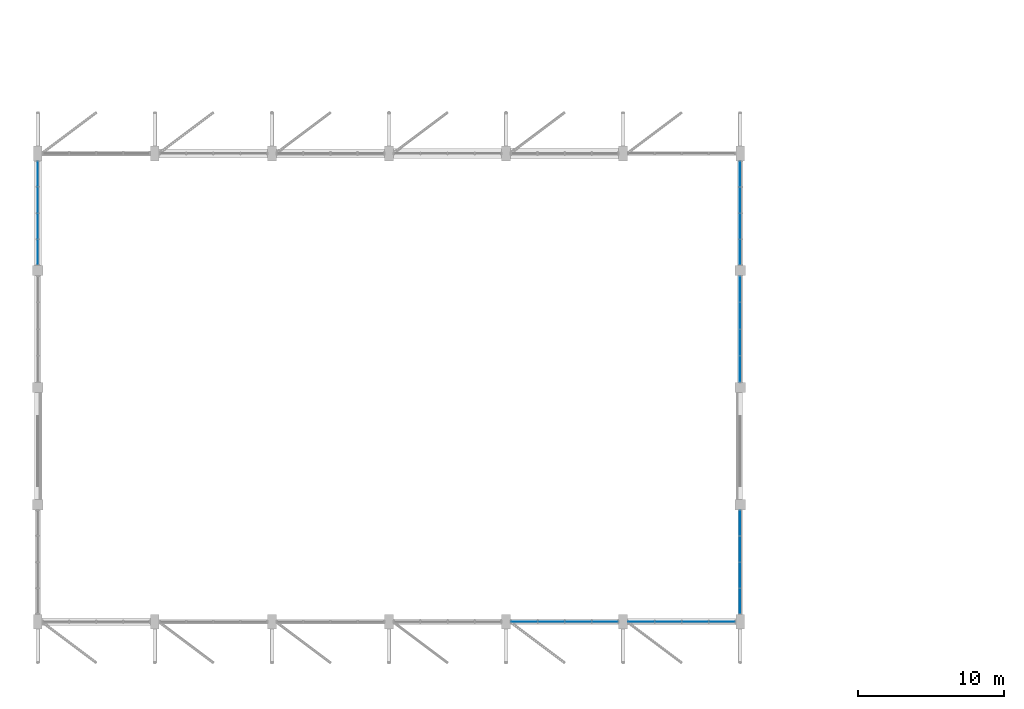
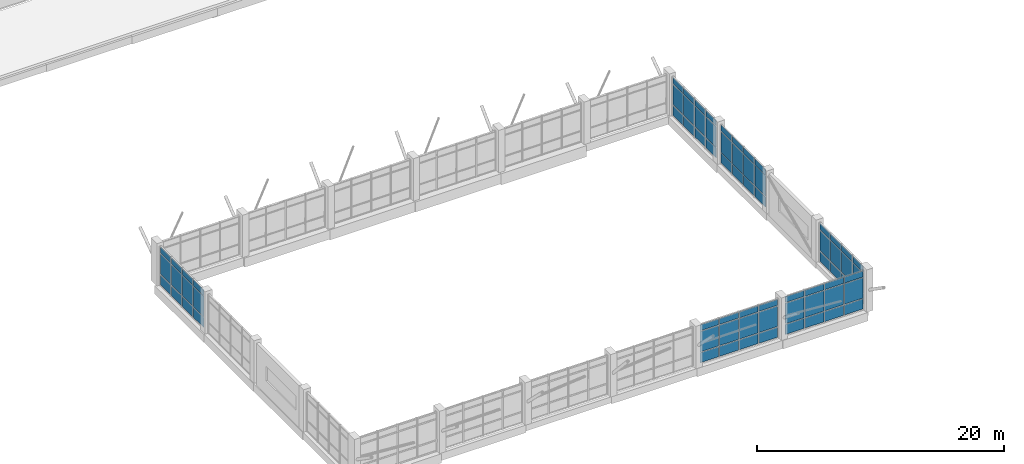
# One storey, part 30 of 44: 72 plates, 6 elements without a shape of their own.
"""IFC4 building model written with IfcOpenShell, lengths in metres."""

from ifc_helpers import new_model, si_unit, direction, frame, origin, origin_2d, place, context, subcontext, project, spatial, rectangle, extrude, material, layer, layer_set, type_object, element, aggregate, save


model = new_model("IFC4")

# Units and contexts
model_context = context("Model", 3, precision=1e-05, world=origin(), true_north=direction((0.0, 1.0)))
body_context = subcontext(model_context, "Body", "Model", "MODEL_VIEW")
ifc_project = project(units=[si_unit("LENGTHUNIT", "METRE"), si_unit("AREAUNIT", "SQUARE_METRE"), si_unit("VOLUMEUNIT", "CUBIC_METRE"), si_unit("PLANEANGLEUNIT", "RADIAN"), si_unit("MASSUNIT", "GRAM", prefix="KILO")], contexts=[model_context])

# Site, building, storey
site_placement = place(None, origin())
site = spatial("IfcSite", under=ifc_project, at=site_placement, CompositionType="ELEMENT")
building_placement = place(site_placement, origin())
building = spatial("IfcBuilding", under=site, at=building_placement, Name="Tenunan Teduh Sports Hall", CompositionType="ELEMENT")
storey_placement = place(building_placement, frame((0.0, 0.0, 19.199951171875)))
storey = spatial("IfcBuildingStorey", under=building, at=storey_placement, Name="L04", CompositionType="ELEMENT", Elevation=19.199951171875)

# Curtain wall, plates
ifc_material_1 = material(Name="Anodised aluminium", Category="aluminium")
curtain_wall_type = type_object("IfcCurtainWallType", Name="CW-UNIT-2", PredefinedType="NOTDEFINED", material=ifc_material_1)
curtain_wall_1_placement = place(storey_placement, origin())
curtain_wall_1 = element("IfcCurtainWall", 1, at=curtain_wall_1_placement, inside=storey, type_object=curtain_wall_type, Name="CW-CWM-200-L04-100", PredefinedType="NOTDEFINED")
ifc_material_2 = material(Name="Low-E laminated double glazing", Category="glass")
ifc_layer_1 = layer(ifc_material_2, 0.028076171875)
ifc_layer_set_1 = layer_set([ifc_layer_1], Name="Low-E laminated double glazing")
plate_type_1 = type_object("IfcPlateType", Name="CWP-GLZ-28", PredefinedType="CURTAIN_PANEL", material=ifc_layer_set_1)
plate_1_placement = place(storey_placement, frame((39.242431640625, 14.0, 1.13525390625), z_axis=(0.0, 0.0, 1.0), x_axis=(1.0, 0.0, 0.0)))
plate_1 = element("IfcPlate", 2, at=plate_1_placement, type_object=plate_type_1, Name="CW-02 panel 1.2", PredefinedType="CURTAIN_PANEL", context=body_context, shape_type="SweptSolid", body=[
    extrude(rectangle(XDim=1.7451171875, YDim=0.028076171875, at=origin_2d()), origin(), (0.0, 0.0, 1.0), 2.030029296875),
])
plate_2_placement = place(storey_placement, frame((39.242431640625, 14.0, 3.23486328125), z_axis=(0.0, 0.0, 1.0), x_axis=(1.0, 0.0, 0.0)))
plate_2 = element("IfcPlate", 3, at=plate_2_placement, type_object=plate_type_1, Name="CW-02 panel 1.3", PredefinedType="CURTAIN_PANEL", context=body_context, shape_type="SweptSolid", body=[
    extrude(rectangle(XDim=1.7451171875, YDim=0.028076171875, at=origin_2d()), origin(), (0.0, 0.0, 1.0), 0.594970703125),
])
plate_3_placement = place(storey_placement, frame((41.074951171875, 14.0, 1.13525390625), z_axis=(0.0, 0.0, 1.0), x_axis=(1.0, 0.0, 0.0)))
plate_3 = element("IfcPlate", 4, at=plate_3_placement, type_object=plate_type_1, Name="CW-02 panel 2.2", PredefinedType="CURTAIN_PANEL", context=body_context, shape_type="SweptSolid", body=[
    extrude(rectangle(XDim=1.780029296875, YDim=0.028076171875, at=origin_2d()), origin(), (0.0, 0.0, 1.0), 2.030029296875),
])
plate_4_placement = place(storey_placement, frame((41.074951171875, 14.0, 3.23486328125), z_axis=(0.0, 0.0, 1.0), x_axis=(1.0, 0.0, 0.0)))
plate_4 = element("IfcPlate", 5, at=plate_4_placement, type_object=plate_type_1, Name="CW-02 panel 2.3", PredefinedType="CURTAIN_PANEL", context=body_context, shape_type="SweptSolid", body=[
    extrude(rectangle(XDim=1.780029296875, YDim=0.028076171875, at=origin_2d()), origin(), (0.0, 0.0, 1.0), 0.594970703125),
])
plate_5_placement = place(storey_placement, frame((42.925048828125, 14.0, 1.13525390625), z_axis=(0.0, 0.0, 1.0), x_axis=(1.0, 0.0, 0.0)))
plate_5 = element("IfcPlate", 6, at=plate_5_placement, type_object=plate_type_1, Name="CW-02 panel 3.2", PredefinedType="CURTAIN_PANEL", context=body_context, shape_type="SweptSolid", body=[
    extrude(rectangle(XDim=1.780029296875, YDim=0.028076171875, at=origin_2d()), origin(), (0.0, 0.0, 1.0), 2.030029296875),
])
plate_6_placement = place(storey_placement, frame((42.925048828125, 14.0, 3.23486328125), z_axis=(0.0, 0.0, 1.0), x_axis=(1.0, 0.0, 0.0)))
plate_6 = element("IfcPlate", 7, at=plate_6_placement, type_object=plate_type_1, Name="CW-02 panel 3.3", PredefinedType="CURTAIN_PANEL", context=body_context, shape_type="SweptSolid", body=[
    extrude(rectangle(XDim=1.780029296875, YDim=0.028076171875, at=origin_2d()), origin(), (0.0, 0.0, 1.0), 0.594970703125),
])
plate_7_placement = place(storey_placement, frame((44.757568359375, 14.0, 1.13525390625), z_axis=(0.0, 0.0, 1.0), x_axis=(1.0, 0.0, 0.0)))
plate_7 = element("IfcPlate", 8, at=plate_7_placement, type_object=plate_type_1, Name="CW-02 panel 4.2", PredefinedType="CURTAIN_PANEL", context=body_context, shape_type="SweptSolid", body=[
    extrude(rectangle(XDim=1.7451171875, YDim=0.028076171875, at=origin_2d()), origin(), (0.0, 0.0, 1.0), 2.030029296875),
])
plate_8_placement = place(storey_placement, frame((44.757568359375, 14.0, 3.23486328125), z_axis=(0.0, 0.0, 1.0), x_axis=(1.0, 0.0, 0.0)))
plate_8 = element("IfcPlate", 9, at=plate_8_placement, type_object=plate_type_1, Name="CW-02 panel 4.3", PredefinedType="CURTAIN_PANEL", context=body_context, shape_type="SweptSolid", body=[
    extrude(rectangle(XDim=1.7451171875, YDim=0.028076171875, at=origin_2d()), origin(), (0.0, 0.0, 1.0), 0.594970703125),
])

curtain_wall_2_placement = place(storey_placement, origin())
curtain_wall_2 = element("IfcCurtainWall", 10, at=curtain_wall_2_placement, inside=storey, type_object=curtain_wall_type, Name="CW-CWM-175-L04-102", PredefinedType="NOTDEFINED")
plate_9_placement = place(storey_placement, frame((47.2412109375, 14.0, 1.1328125), z_axis=(0.0, 0.0, 1.0), x_axis=(1.0, 0.0, 0.0)))
plate_9 = element("IfcPlate", 11, at=plate_9_placement, type_object=plate_type_1, Name="CW-02 panel 1.2", PredefinedType="CURTAIN_PANEL", context=body_context, shape_type="SweptSolid", body=[
    extrude(rectangle(XDim=1.75244140625, YDim=0.028076171875, at=origin_2d()), origin(), (0.0, 0.0, 1.0), 2.034912109375),
])
plate_10_placement = place(storey_placement, frame((47.2412109375, 14.0, 3.232421875), z_axis=(0.0, 0.0, 1.0), x_axis=(1.0, 0.0, 0.0)))
plate_10 = element("IfcPlate", 12, at=plate_10_placement, type_object=plate_type_1, Name="CW-02 panel 1.3", PredefinedType="CURTAIN_PANEL", context=body_context, shape_type="SweptSolid", body=[
    extrude(rectangle(XDim=1.75244140625, YDim=0.028076171875, at=origin_2d()), origin(), (0.0, 0.0, 1.0), 0.6025390625),
])
plate_11_placement = place(storey_placement, frame((49.074951171875, 14.0, 1.1328125), z_axis=(0.0, 0.0, 1.0), x_axis=(1.0, 0.0, 0.0)))
plate_11 = element("IfcPlate", 13, at=plate_11_placement, type_object=plate_type_1, Name="CW-02 panel 2.2", PredefinedType="CURTAIN_PANEL", context=body_context, shape_type="SweptSolid", body=[
    extrude(rectangle(XDim=1.784912109375, YDim=0.028076171875, at=origin_2d()), origin(), (0.0, 0.0, 1.0), 2.034912109375),
])
plate_12_placement = place(storey_placement, frame((49.074951171875, 14.0, 3.232421875), z_axis=(0.0, 0.0, 1.0), x_axis=(1.0, 0.0, 0.0)))
plate_12 = element("IfcPlate", 14, at=plate_12_placement, type_object=plate_type_1, Name="CW-02 panel 2.3", PredefinedType="CURTAIN_PANEL", context=body_context, shape_type="SweptSolid", body=[
    extrude(rectangle(XDim=1.784912109375, YDim=0.028076171875, at=origin_2d()), origin(), (0.0, 0.0, 1.0), 0.6025390625),
])
plate_13_placement = place(storey_placement, frame((50.925048828125, 14.0, 1.1328125), z_axis=(0.0, 0.0, 1.0), x_axis=(1.0, 0.0, 0.0)))
plate_13 = element("IfcPlate", 15, at=plate_13_placement, type_object=plate_type_1, Name="CW-02 panel 3.2", PredefinedType="CURTAIN_PANEL", context=body_context, shape_type="SweptSolid", body=[
    extrude(rectangle(XDim=1.784912109375, YDim=0.028076171875, at=origin_2d()), origin(), (0.0, 0.0, 1.0), 2.034912109375),
])
plate_14_placement = place(storey_placement, frame((50.925048828125, 14.0, 3.232421875), z_axis=(0.0, 0.0, 1.0), x_axis=(1.0, 0.0, 0.0)))
plate_14 = element("IfcPlate", 16, at=plate_14_placement, type_object=plate_type_1, Name="CW-02 panel 3.3", PredefinedType="CURTAIN_PANEL", context=body_context, shape_type="SweptSolid", body=[
    extrude(rectangle(XDim=1.784912109375, YDim=0.028076171875, at=origin_2d()), origin(), (0.0, 0.0, 1.0), 0.6025390625),
])
plate_15_placement = place(storey_placement, frame((52.7587890625, 14.0, 1.1328125), z_axis=(0.0, 0.0, 1.0), x_axis=(1.0, 0.0, 0.0)))
plate_15 = element("IfcPlate", 17, at=plate_15_placement, type_object=plate_type_1, Name="CW-02 panel 4.2", PredefinedType="CURTAIN_PANEL", context=body_context, shape_type="SweptSolid", body=[
    extrude(rectangle(XDim=1.75244140625, YDim=0.028076171875, at=origin_2d()), origin(), (0.0, 0.0, 1.0), 2.034912109375),
])
plate_16_placement = place(storey_placement, frame((52.7587890625, 14.0, 3.232421875), z_axis=(0.0, 0.0, 1.0), x_axis=(1.0, 0.0, 0.0)))
plate_16 = element("IfcPlate", 18, at=plate_16_placement, type_object=plate_type_1, Name="CW-02 panel 4.3", PredefinedType="CURTAIN_PANEL", context=body_context, shape_type="SweptSolid", body=[
    extrude(rectangle(XDim=1.75244140625, YDim=0.028076171875, at=origin_2d()), origin(), (0.0, 0.0, 1.0), 0.6025390625),
])

curtain_wall_3_placement = place(storey_placement, origin())
curtain_wall_3 = element("IfcCurtainWall", 19, at=curtain_wall_3_placement, inside=storey, type_object=curtain_wall_type, Name="CW-CWM-200-L04-108", PredefinedType="NOTDEFINED")
plate_17_placement = place(storey_placement, frame((6.0, 39.26123046875, 1.13525390625), z_axis=(0.0, 0.0, 1.0), x_axis=(0.0, 1.0, 0.0)))
plate_17 = element("IfcPlate", 20, at=plate_17_placement, type_object=plate_type_1, Name="CW-02 panel 1.2", PredefinedType="CURTAIN_PANEL", context=body_context, shape_type="SweptSolid", body=[
    extrude(rectangle(XDim=1.6826171875, YDim=0.028076171875, at=origin_2d()), origin(), (0.0, 0.0, 1.0), 2.030029296875),
])
plate_18_placement = place(storey_placement, frame((6.0, 39.26123046875, 3.23486328125), z_axis=(0.0, 0.0, 1.0), x_axis=(0.0, 1.0, 0.0)))
plate_18 = element("IfcPlate", 21, at=plate_18_placement, type_object=plate_type_1, Name="CW-02 panel 1.3", PredefinedType="CURTAIN_PANEL", context=body_context, shape_type="SweptSolid", body=[
    extrude(rectangle(XDim=1.6826171875, YDim=0.028076171875, at=origin_2d()), origin(), (0.0, 0.0, 1.0), 0.594970703125),
])
plate_19_placement = place(storey_placement, frame((6.0, 41.03125, 1.13525390625), z_axis=(0.0, 0.0, 1.0), x_axis=(0.0, 1.0, 0.0)))
plate_19 = element("IfcPlate", 22, at=plate_19_placement, type_object=plate_type_1, Name="CW-02 panel 2.2", PredefinedType="CURTAIN_PANEL", context=body_context, shape_type="SweptSolid", body=[
    extrude(rectangle(XDim=1.717529296875, YDim=0.028076171875, at=origin_2d()), origin(), (0.0, 0.0, 1.0), 2.030029296875),
])
plate_20_placement = place(storey_placement, frame((6.0, 41.03125, 3.23486328125), z_axis=(0.0, 0.0, 1.0), x_axis=(0.0, 1.0, 0.0)))
plate_20 = element("IfcPlate", 23, at=plate_20_placement, type_object=plate_type_1, Name="CW-02 panel 2.3", PredefinedType="CURTAIN_PANEL", context=body_context, shape_type="SweptSolid", body=[
    extrude(rectangle(XDim=1.717529296875, YDim=0.028076171875, at=origin_2d()), origin(), (0.0, 0.0, 1.0), 0.594970703125),
])
plate_21_placement = place(storey_placement, frame((6.0, 42.81884765625, 1.13525390625), z_axis=(0.0, 0.0, 1.0), x_axis=(0.0, 1.0, 0.0)))
plate_21 = element("IfcPlate", 24, at=plate_21_placement, type_object=plate_type_1, Name="CW-02 panel 3.2", PredefinedType="CURTAIN_PANEL", context=body_context, shape_type="SweptSolid", body=[
    extrude(rectangle(XDim=1.717529296875, YDim=0.028076171875, at=origin_2d()), origin(), (0.0, 0.0, 1.0), 2.030029296875),
])
plate_22_placement = place(storey_placement, frame((6.0, 42.81884765625, 3.23486328125), z_axis=(0.0, 0.0, 1.0), x_axis=(0.0, 1.0, 0.0)))
plate_22 = element("IfcPlate", 25, at=plate_22_placement, type_object=plate_type_1, Name="CW-02 panel 3.3", PredefinedType="CURTAIN_PANEL", context=body_context, shape_type="SweptSolid", body=[
    extrude(rectangle(XDim=1.717529296875, YDim=0.028076171875, at=origin_2d()), origin(), (0.0, 0.0, 1.0), 0.594970703125),
])
plate_23_placement = place(storey_placement, frame((6.0, 44.5888671875, 1.13525390625), z_axis=(0.0, 0.0, 1.0), x_axis=(0.0, 1.0, 0.0)))
plate_23 = element("IfcPlate", 26, at=plate_23_placement, type_object=plate_type_1, Name="CW-02 panel 4.2", PredefinedType="CURTAIN_PANEL", context=body_context, shape_type="SweptSolid", body=[
    extrude(rectangle(XDim=1.6826171875, YDim=0.028076171875, at=origin_2d()), origin(), (0.0, 0.0, 1.0), 2.030029296875),
])
plate_24_placement = place(storey_placement, frame((6.0, 44.5888671875, 3.23486328125), z_axis=(0.0, 0.0, 1.0), x_axis=(0.0, 1.0, 0.0)))
plate_24 = element("IfcPlate", 27, at=plate_24_placement, type_object=plate_type_1, Name="CW-02 panel 4.3", PredefinedType="CURTAIN_PANEL", context=body_context, shape_type="SweptSolid", body=[
    extrude(rectangle(XDim=1.6826171875, YDim=0.028076171875, at=origin_2d()), origin(), (0.0, 0.0, 1.0), 0.594970703125),
])

curtain_wall_4_placement = place(storey_placement, origin())
curtain_wall_4 = element("IfcCurtainWall", 28, at=curtain_wall_4_placement, inside=storey, type_object=curtain_wall_type, Name="CW-CWM-220-L04-105", PredefinedType="NOTDEFINED")
ifc_material_3 = material(Name="Solar-control laminated glazing", Category="glass")
ifc_layer_2 = layer(ifc_material_3, 0.031982421875)
ifc_layer_set_2 = layer_set([ifc_layer_2], Name="Solar-control laminated glazing")
plate_type_2 = type_object("IfcPlateType", Name="CWP-GLZ-32", PredefinedType="CURTAIN_PANEL", material=ifc_layer_set_2)
plate_25_placement = place(storey_placement, frame((54.0, 15.41259765625, 1.1376953125), z_axis=(0.0, 0.0, 1.0), x_axis=(0.0, 1.0, 0.0)))
plate_25 = element("IfcPlate", 29, at=plate_25_placement, type_object=plate_type_2, Name="CW-02 panel 1.2", PredefinedType="CURTAIN_PANEL", context=body_context, shape_type="SweptSolid", body=[
    extrude(rectangle(XDim=1.675048828125, YDim=0.031982421875, at=origin_2d()), origin(), (0.0, 0.0, 1.0), 2.02490234375),
])
plate_26_placement = place(storey_placement, frame((54.0, 15.41259765625, 3.237548828125), z_axis=(0.0, 0.0, 1.0), x_axis=(0.0, 1.0, 0.0)))
plate_26 = element("IfcPlate", 30, at=plate_26_placement, type_object=plate_type_2, Name="CW-02 panel 1.3", PredefinedType="CURTAIN_PANEL", context=body_context, shape_type="SweptSolid", body=[
    extrude(rectangle(XDim=1.675048828125, YDim=0.031982421875, at=origin_2d()), origin(), (0.0, 0.0, 1.0), 0.58740234375),
])
plate_27_placement = place(storey_placement, frame((54.0, 17.18115234375, 1.1376953125), z_axis=(0.0, 0.0, 1.0), x_axis=(0.0, 1.0, 0.0)))
plate_27 = element("IfcPlate", 31, at=plate_27_placement, type_object=plate_type_2, Name="CW-02 panel 2.2", PredefinedType="CURTAIN_PANEL", context=body_context, shape_type="SweptSolid", body=[
    extrude(rectangle(XDim=1.71240234375, YDim=0.031982421875, at=origin_2d()), origin(), (0.0, 0.0, 1.0), 2.02490234375),
])
plate_28_placement = place(storey_placement, frame((54.0, 17.18115234375, 3.237548828125), z_axis=(0.0, 0.0, 1.0), x_axis=(0.0, 1.0, 0.0)))
plate_28 = element("IfcPlate", 32, at=plate_28_placement, type_object=plate_type_2, Name="CW-02 panel 2.3", PredefinedType="CURTAIN_PANEL", context=body_context, shape_type="SweptSolid", body=[
    extrude(rectangle(XDim=1.71240234375, YDim=0.031982421875, at=origin_2d()), origin(), (0.0, 0.0, 1.0), 0.58740234375),
])
plate_29_placement = place(storey_placement, frame((54.0, 18.96875, 1.1376953125), z_axis=(0.0, 0.0, 1.0), x_axis=(0.0, 1.0, 0.0)))
plate_29 = element("IfcPlate", 33, at=plate_29_placement, type_object=plate_type_2, Name="CW-02 panel 3.2", PredefinedType="CURTAIN_PANEL", context=body_context, shape_type="SweptSolid", body=[
    extrude(rectangle(XDim=1.71240234375, YDim=0.031982421875, at=origin_2d()), origin(), (0.0, 0.0, 1.0), 2.02490234375),
])
plate_30_placement = place(storey_placement, frame((54.0, 18.96875, 3.237548828125), z_axis=(0.0, 0.0, 1.0), x_axis=(0.0, 1.0, 0.0)))
plate_30 = element("IfcPlate", 34, at=plate_30_placement, type_object=plate_type_2, Name="CW-02 panel 3.3", PredefinedType="CURTAIN_PANEL", context=body_context, shape_type="SweptSolid", body=[
    extrude(rectangle(XDim=1.71240234375, YDim=0.031982421875, at=origin_2d()), origin(), (0.0, 0.0, 1.0), 0.58740234375),
])
plate_31_placement = place(storey_placement, frame((54.0, 20.737548828125, 1.1376953125), z_axis=(0.0, 0.0, 1.0), x_axis=(0.0, 1.0, 0.0)))
plate_31 = element("IfcPlate", 35, at=plate_31_placement, type_object=plate_type_2, Name="CW-02 panel 4.2", PredefinedType="CURTAIN_PANEL", context=body_context, shape_type="SweptSolid", body=[
    extrude(rectangle(XDim=1.675048828125, YDim=0.031982421875, at=origin_2d()), origin(), (0.0, 0.0, 1.0), 2.02490234375),
])
plate_32_placement = place(storey_placement, frame((54.0, 20.737548828125, 3.237548828125), z_axis=(0.0, 0.0, 1.0), x_axis=(0.0, 1.0, 0.0)))
plate_32 = element("IfcPlate", 36, at=plate_32_placement, type_object=plate_type_2, Name="CW-02 panel 4.3", PredefinedType="CURTAIN_PANEL", context=body_context, shape_type="SweptSolid", body=[
    extrude(rectangle(XDim=1.675048828125, YDim=0.031982421875, at=origin_2d()), origin(), (0.0, 0.0, 1.0), 0.58740234375),
])

curtain_wall_5_placement = place(storey_placement, origin())
curtain_wall_5 = element("IfcCurtainWall", 37, at=curtain_wall_5_placement, inside=storey, type_object=curtain_wall_type, Name="CW-CWM-150-L04-107", PredefinedType="NOTDEFINED")
plate_33_placement = place(storey_placement, frame((54.0, 31.277587890625, 1.130126953125), z_axis=(0.0, 0.0, 1.0), x_axis=(0.0, 1.0, 0.0)))
plate_33 = element("IfcPlate", 38, at=plate_33_placement, type_object=plate_type_2, Name="CW-02 panel 1.2", PredefinedType="CURTAIN_PANEL", context=body_context, shape_type="SweptSolid", body=[
    extrude(rectangle(XDim=1.735107421875, YDim=0.031982421875, at=origin_2d()), origin(), (0.0, 0.0, 1.0), 2.0400390625),
])
plate_34_placement = place(storey_placement, frame((54.0, 31.277587890625, 3.22998046875), z_axis=(0.0, 0.0, 1.0), x_axis=(0.0, 1.0, 0.0)))
plate_34 = element("IfcPlate", 39, at=plate_34_placement, type_object=plate_type_2, Name="CW-02 panel 1.3", PredefinedType="CURTAIN_PANEL", context=body_context, shape_type="SweptSolid", body=[
    extrude(rectangle(XDim=1.735107421875, YDim=0.031982421875, at=origin_2d()), origin(), (0.0, 0.0, 1.0), 0.610107421875),
])
plate_35_placement = place(storey_placement, frame((54.0, 33.08740234375, 1.130126953125), z_axis=(0.0, 0.0, 1.0), x_axis=(0.0, 1.0, 0.0)))
plate_35 = element("IfcPlate", 40, at=plate_35_placement, type_object=plate_type_2, Name="CW-02 panel 2.2", PredefinedType="CURTAIN_PANEL", context=body_context, shape_type="SweptSolid", body=[
    extrude(rectangle(XDim=1.764892578125, YDim=0.031982421875, at=origin_2d()), origin(), (0.0, 0.0, 1.0), 2.0400390625),
])
plate_36_placement = place(storey_placement, frame((54.0, 33.08740234375, 3.22998046875), z_axis=(0.0, 0.0, 1.0), x_axis=(0.0, 1.0, 0.0)))
plate_36 = element("IfcPlate", 41, at=plate_36_placement, type_object=plate_type_2, Name="CW-02 panel 2.3", PredefinedType="CURTAIN_PANEL", context=body_context, shape_type="SweptSolid", body=[
    extrude(rectangle(XDim=1.764892578125, YDim=0.031982421875, at=origin_2d()), origin(), (0.0, 0.0, 1.0), 0.610107421875),
])
plate_37_placement = place(storey_placement, frame((54.0, 34.91259765625, 1.130126953125), z_axis=(0.0, 0.0, 1.0), x_axis=(0.0, 1.0, 0.0)))
plate_37 = element("IfcPlate", 42, at=plate_37_placement, type_object=plate_type_2, Name="CW-02 panel 3.2", PredefinedType="CURTAIN_PANEL", context=body_context, shape_type="SweptSolid", body=[
    extrude(rectangle(XDim=1.764892578125, YDim=0.031982421875, at=origin_2d()), origin(), (0.0, 0.0, 1.0), 2.0400390625),
])
plate_38_placement = place(storey_placement, frame((54.0, 34.91259765625, 3.22998046875), z_axis=(0.0, 0.0, 1.0), x_axis=(0.0, 1.0, 0.0)))
plate_38 = element("IfcPlate", 43, at=plate_38_placement, type_object=plate_type_2, Name="CW-02 panel 3.3", PredefinedType="CURTAIN_PANEL", context=body_context, shape_type="SweptSolid", body=[
    extrude(rectangle(XDim=1.764892578125, YDim=0.031982421875, at=origin_2d()), origin(), (0.0, 0.0, 1.0), 0.610107421875),
])
plate_39_placement = place(storey_placement, frame((54.0, 36.722412109375, 1.130126953125), z_axis=(0.0, 0.0, 1.0), x_axis=(0.0, 1.0, 0.0)))
plate_39 = element("IfcPlate", 44, at=plate_39_placement, type_object=plate_type_2, Name="CW-02 panel 4.2", PredefinedType="CURTAIN_PANEL", context=body_context, shape_type="SweptSolid", body=[
    extrude(rectangle(XDim=1.735107421875, YDim=0.031982421875, at=origin_2d()), origin(), (0.0, 0.0, 1.0), 2.0400390625),
])
plate_40_placement = place(storey_placement, frame((54.0, 36.722412109375, 3.22998046875), z_axis=(0.0, 0.0, 1.0), x_axis=(0.0, 1.0, 0.0)))
plate_40 = element("IfcPlate", 45, at=plate_40_placement, type_object=plate_type_2, Name="CW-02 panel 4.3", PredefinedType="CURTAIN_PANEL", context=body_context, shape_type="SweptSolid", body=[
    extrude(rectangle(XDim=1.735107421875, YDim=0.031982421875, at=origin_2d()), origin(), (0.0, 0.0, 1.0), 0.610107421875),
])

curtain_wall_6_placement = place(storey_placement, origin())
curtain_wall_6 = element("IfcCurtainWall", 46, at=curtain_wall_6_placement, inside=storey, type_object=curtain_wall_type, Name="CW-CWM-220-L04-109", PredefinedType="NOTDEFINED")
plate_41_placement = place(storey_placement, frame((54.0, 39.262451171875, 1.1376953125), z_axis=(0.0, 0.0, 1.0), x_axis=(0.0, 1.0, 0.0)))
plate_41 = element("IfcPlate", 47, at=plate_41_placement, type_object=plate_type_2, Name="CW-02 panel 1.2", PredefinedType="CURTAIN_PANEL", context=body_context, shape_type="SweptSolid", body=[
    extrude(rectangle(XDim=1.675048828125, YDim=0.031982421875, at=origin_2d()), origin(), (0.0, 0.0, 1.0), 2.02490234375),
])
plate_42_placement = place(storey_placement, frame((54.0, 39.262451171875, 3.237548828125), z_axis=(0.0, 0.0, 1.0), x_axis=(0.0, 1.0, 0.0)))
plate_42 = element("IfcPlate", 48, at=plate_42_placement, type_object=plate_type_2, Name="CW-02 panel 1.3", PredefinedType="CURTAIN_PANEL", context=body_context, shape_type="SweptSolid", body=[
    extrude(rectangle(XDim=1.675048828125, YDim=0.031982421875, at=origin_2d()), origin(), (0.0, 0.0, 1.0), 0.58740234375),
])
plate_43_placement = place(storey_placement, frame((54.0, 41.03125, 1.1376953125), z_axis=(0.0, 0.0, 1.0), x_axis=(0.0, 1.0, 0.0)))
plate_43 = element("IfcPlate", 49, at=plate_43_placement, type_object=plate_type_2, Name="CW-02 panel 2.2", PredefinedType="CURTAIN_PANEL", context=body_context, shape_type="SweptSolid", body=[
    extrude(rectangle(XDim=1.71240234375, YDim=0.031982421875, at=origin_2d()), origin(), (0.0, 0.0, 1.0), 2.02490234375),
])
plate_44_placement = place(storey_placement, frame((54.0, 41.03125, 3.237548828125), z_axis=(0.0, 0.0, 1.0), x_axis=(0.0, 1.0, 0.0)))
plate_44 = element("IfcPlate", 50, at=plate_44_placement, type_object=plate_type_2, Name="CW-02 panel 2.3", PredefinedType="CURTAIN_PANEL", context=body_context, shape_type="SweptSolid", body=[
    extrude(rectangle(XDim=1.71240234375, YDim=0.031982421875, at=origin_2d()), origin(), (0.0, 0.0, 1.0), 0.58740234375),
])
plate_45_placement = place(storey_placement, frame((54.0, 42.81884765625, 1.1376953125), z_axis=(0.0, 0.0, 1.0), x_axis=(0.0, 1.0, 0.0)))
plate_45 = element("IfcPlate", 51, at=plate_45_placement, type_object=plate_type_2, Name="CW-02 panel 3.2", PredefinedType="CURTAIN_PANEL", context=body_context, shape_type="SweptSolid", body=[
    extrude(rectangle(XDim=1.71240234375, YDim=0.031982421875, at=origin_2d()), origin(), (0.0, 0.0, 1.0), 2.02490234375),
])
plate_46_placement = place(storey_placement, frame((54.0, 42.81884765625, 3.237548828125), z_axis=(0.0, 0.0, 1.0), x_axis=(0.0, 1.0, 0.0)))
plate_46 = element("IfcPlate", 52, at=plate_46_placement, type_object=plate_type_2, Name="CW-02 panel 3.3", PredefinedType="CURTAIN_PANEL", context=body_context, shape_type="SweptSolid", body=[
    extrude(rectangle(XDim=1.71240234375, YDim=0.031982421875, at=origin_2d()), origin(), (0.0, 0.0, 1.0), 0.58740234375),
])
plate_47_placement = place(storey_placement, frame((54.0, 44.58740234375, 1.1376953125), z_axis=(0.0, 0.0, 1.0), x_axis=(0.0, 1.0, 0.0)))
plate_47 = element("IfcPlate", 53, at=plate_47_placement, type_object=plate_type_2, Name="CW-02 panel 4.2", PredefinedType="CURTAIN_PANEL", context=body_context, shape_type="SweptSolid", body=[
    extrude(rectangle(XDim=1.675048828125, YDim=0.031982421875, at=origin_2d()), origin(), (0.0, 0.0, 1.0), 2.02490234375),
])
plate_48_placement = place(storey_placement, frame((54.0, 44.58740234375, 3.237548828125), z_axis=(0.0, 0.0, 1.0), x_axis=(0.0, 1.0, 0.0)))
plate_48 = element("IfcPlate", 54, at=plate_48_placement, type_object=plate_type_2, Name="CW-02 panel 4.3", PredefinedType="CURTAIN_PANEL", context=body_context, shape_type="SweptSolid", body=[
    extrude(rectangle(XDim=1.675048828125, YDim=0.031982421875, at=origin_2d()), origin(), (0.0, 0.0, 1.0), 0.58740234375),
])

# Plate
ifc_material_4 = material(Name="Insulated aluminium spandrel panel", Category="aluminium")
ifc_layer_3 = layer(ifc_material_4, 0.044921875)
ifc_layer_set_3 = layer_set([ifc_layer_3], Name="Insulated aluminium spandrel panel")
plate_type_3 = type_object("IfcPlateType", Name="CWP-SPN-45", PredefinedType="CURTAIN_PANEL", material=ifc_layer_set_3)
plate_49_placement = place(storey_placement, frame((39.242431640625, 14.0, 0.070068359375), z_axis=(0.0, 0.0, 1.0), x_axis=(1.0, 0.0, 0.0)))
plate_49 = element("IfcPlate", 55, at=plate_49_placement, type_object=plate_type_3, Name="CW-02 panel 1.1", PredefinedType="CURTAIN_PANEL", context=body_context, shape_type="SweptSolid", body=[
    extrude(rectangle(XDim=1.7451171875, YDim=0.028076171875, at=origin_2d()), origin(), (0.0, 0.0, 1.0), 0.9951171875),
])

plate_50_placement = place(storey_placement, frame((41.074951171875, 14.0, 0.070068359375), z_axis=(0.0, 0.0, 1.0), x_axis=(1.0, 0.0, 0.0)))
plate_50 = element("IfcPlate", 56, at=plate_50_placement, type_object=plate_type_3, Name="CW-02 panel 2.1", PredefinedType="CURTAIN_PANEL", context=body_context, shape_type="SweptSolid", body=[
    extrude(rectangle(XDim=1.780029296875, YDim=0.028076171875, at=origin_2d()), origin(), (0.0, 0.0, 1.0), 0.9951171875),
])

plate_51_placement = place(storey_placement, frame((42.925048828125, 14.0, 0.070068359375), z_axis=(0.0, 0.0, 1.0), x_axis=(1.0, 0.0, 0.0)))
plate_51 = element("IfcPlate", 57, at=plate_51_placement, type_object=plate_type_3, Name="CW-02 panel 3.1", PredefinedType="CURTAIN_PANEL", context=body_context, shape_type="SweptSolid", body=[
    extrude(rectangle(XDim=1.780029296875, YDim=0.028076171875, at=origin_2d()), origin(), (0.0, 0.0, 1.0), 0.9951171875),
])

plate_52_placement = place(storey_placement, frame((44.757568359375, 14.0, 0.070068359375), z_axis=(0.0, 0.0, 1.0), x_axis=(1.0, 0.0, 0.0)))
plate_52 = element("IfcPlate", 58, at=plate_52_placement, type_object=plate_type_3, Name="CW-02 panel 4.1", PredefinedType="CURTAIN_PANEL", context=body_context, shape_type="SweptSolid", body=[
    extrude(rectangle(XDim=1.7451171875, YDim=0.028076171875, at=origin_2d()), origin(), (0.0, 0.0, 1.0), 0.9951171875),
])

aggregate(curtain_wall_1, [plate_49, plate_1, plate_2, plate_50, plate_3, plate_4, plate_51, plate_5, plate_6, plate_52, plate_7, plate_8])

plate_53_placement = place(storey_placement, frame((47.2412109375, 14.0, 0.065185546875), z_axis=(0.0, 0.0, 1.0), x_axis=(1.0, 0.0, 0.0)))
plate_53 = element("IfcPlate", 59, at=plate_53_placement, type_object=plate_type_3, Name="CW-02 panel 1.1", PredefinedType="CURTAIN_PANEL", context=body_context, shape_type="SweptSolid", body=[
    extrude(rectangle(XDim=1.75244140625, YDim=0.028076171875, at=origin_2d()), origin(), (0.0, 0.0, 1.0), 1.00244140625),
])

plate_54_placement = place(storey_placement, frame((49.074951171875, 14.0, 0.065185546875), z_axis=(0.0, 0.0, 1.0), x_axis=(1.0, 0.0, 0.0)))
plate_54 = element("IfcPlate", 60, at=plate_54_placement, type_object=plate_type_3, Name="CW-02 panel 2.1", PredefinedType="CURTAIN_PANEL", context=body_context, shape_type="SweptSolid", body=[
    extrude(rectangle(XDim=1.784912109375, YDim=0.028076171875, at=origin_2d()), origin(), (0.0, 0.0, 1.0), 1.00244140625),
])

plate_55_placement = place(storey_placement, frame((50.925048828125, 14.0, 0.065185546875), z_axis=(0.0, 0.0, 1.0), x_axis=(1.0, 0.0, 0.0)))
plate_55 = element("IfcPlate", 61, at=plate_55_placement, type_object=plate_type_3, Name="CW-02 panel 3.1", PredefinedType="CURTAIN_PANEL", context=body_context, shape_type="SweptSolid", body=[
    extrude(rectangle(XDim=1.784912109375, YDim=0.028076171875, at=origin_2d()), origin(), (0.0, 0.0, 1.0), 1.00244140625),
])

plate_56_placement = place(storey_placement, frame((52.7587890625, 14.0, 0.065185546875), z_axis=(0.0, 0.0, 1.0), x_axis=(1.0, 0.0, 0.0)))
plate_56 = element("IfcPlate", 62, at=plate_56_placement, type_object=plate_type_3, Name="CW-02 panel 4.1", PredefinedType="CURTAIN_PANEL", context=body_context, shape_type="SweptSolid", body=[
    extrude(rectangle(XDim=1.75244140625, YDim=0.028076171875, at=origin_2d()), origin(), (0.0, 0.0, 1.0), 1.00244140625),
])

aggregate(curtain_wall_2, [plate_53, plate_9, plate_10, plate_54, plate_11, plate_12, plate_55, plate_13, plate_14, plate_56, plate_15, plate_16])

plate_57_placement = place(storey_placement, frame((54.0, 15.41259765625, 0.0751953125), z_axis=(0.0, 0.0, 1.0), x_axis=(0.0, 1.0, 0.0)))
plate_57 = element("IfcPlate", 63, at=plate_57_placement, type_object=plate_type_3, Name="CW-02 panel 1.1", PredefinedType="CURTAIN_PANEL", context=body_context, shape_type="SweptSolid", body=[
    extrude(rectangle(XDim=1.675048828125, YDim=0.031982421875, at=origin_2d()), origin(), (0.0, 0.0, 1.0), 0.987548828125),
])

plate_58_placement = place(storey_placement, frame((54.0, 17.18115234375, 0.0751953125), z_axis=(0.0, 0.0, 1.0), x_axis=(0.0, 1.0, 0.0)))
plate_58 = element("IfcPlate", 64, at=plate_58_placement, type_object=plate_type_3, Name="CW-02 panel 2.1", PredefinedType="CURTAIN_PANEL", context=body_context, shape_type="SweptSolid", body=[
    extrude(rectangle(XDim=1.71240234375, YDim=0.031982421875, at=origin_2d()), origin(), (0.0, 0.0, 1.0), 0.987548828125),
])

plate_59_placement = place(storey_placement, frame((54.0, 18.96875, 0.0751953125), z_axis=(0.0, 0.0, 1.0), x_axis=(0.0, 1.0, 0.0)))
plate_59 = element("IfcPlate", 65, at=plate_59_placement, type_object=plate_type_3, Name="CW-02 panel 3.1", PredefinedType="CURTAIN_PANEL", context=body_context, shape_type="SweptSolid", body=[
    extrude(rectangle(XDim=1.71240234375, YDim=0.031982421875, at=origin_2d()), origin(), (0.0, 0.0, 1.0), 0.987548828125),
])

plate_60_placement = place(storey_placement, frame((54.0, 20.737548828125, 0.0751953125), z_axis=(0.0, 0.0, 1.0), x_axis=(0.0, 1.0, 0.0)))
plate_60 = element("IfcPlate", 66, at=plate_60_placement, type_object=plate_type_3, Name="CW-02 panel 4.1", PredefinedType="CURTAIN_PANEL", context=body_context, shape_type="SweptSolid", body=[
    extrude(rectangle(XDim=1.675048828125, YDim=0.031982421875, at=origin_2d()), origin(), (0.0, 0.0, 1.0), 0.987548828125),
])

aggregate(curtain_wall_4, [plate_57, plate_25, plate_26, plate_58, plate_27, plate_28, plate_59, plate_29, plate_30, plate_60, plate_31, plate_32])

plate_61_placement = place(storey_placement, frame((54.0, 31.277587890625, 0.06005859375), z_axis=(0.0, 0.0, 1.0), x_axis=(0.0, 1.0, 0.0)))
plate_61 = element("IfcPlate", 67, at=plate_61_placement, type_object=plate_type_3, Name="CW-02 panel 1.1", PredefinedType="CURTAIN_PANEL", context=body_context, shape_type="SweptSolid", body=[
    extrude(rectangle(XDim=1.735107421875, YDim=0.031982421875, at=origin_2d()), origin(), (0.0, 0.0, 1.0), 1.010009765625),
])

plate_62_placement = place(storey_placement, frame((54.0, 33.08740234375, 0.06005859375), z_axis=(0.0, 0.0, 1.0), x_axis=(0.0, 1.0, 0.0)))
plate_62 = element("IfcPlate", 68, at=plate_62_placement, type_object=plate_type_3, Name="CW-02 panel 2.1", PredefinedType="CURTAIN_PANEL", context=body_context, shape_type="SweptSolid", body=[
    extrude(rectangle(XDim=1.764892578125, YDim=0.031982421875, at=origin_2d()), origin(), (0.0, 0.0, 1.0), 1.010009765625),
])

plate_63_placement = place(storey_placement, frame((54.0, 34.91259765625, 0.06005859375), z_axis=(0.0, 0.0, 1.0), x_axis=(0.0, 1.0, 0.0)))
plate_63 = element("IfcPlate", 69, at=plate_63_placement, type_object=plate_type_3, Name="CW-02 panel 3.1", PredefinedType="CURTAIN_PANEL", context=body_context, shape_type="SweptSolid", body=[
    extrude(rectangle(XDim=1.764892578125, YDim=0.031982421875, at=origin_2d()), origin(), (0.0, 0.0, 1.0), 1.010009765625),
])

plate_64_placement = place(storey_placement, frame((54.0, 36.722412109375, 0.06005859375), z_axis=(0.0, 0.0, 1.0), x_axis=(0.0, 1.0, 0.0)))
plate_64 = element("IfcPlate", 70, at=plate_64_placement, type_object=plate_type_3, Name="CW-02 panel 4.1", PredefinedType="CURTAIN_PANEL", context=body_context, shape_type="SweptSolid", body=[
    extrude(rectangle(XDim=1.735107421875, YDim=0.031982421875, at=origin_2d()), origin(), (0.0, 0.0, 1.0), 1.010009765625),
])

aggregate(curtain_wall_5, [plate_61, plate_33, plate_34, plate_62, plate_35, plate_36, plate_63, plate_37, plate_38, plate_64, plate_39, plate_40])

plate_65_placement = place(storey_placement, frame((6.0, 39.26123046875, 0.070068359375), z_axis=(0.0, 0.0, 1.0), x_axis=(0.0, 1.0, 0.0)))
plate_65 = element("IfcPlate", 71, at=plate_65_placement, type_object=plate_type_3, Name="CW-02 panel 1.1", PredefinedType="CURTAIN_PANEL", context=body_context, shape_type="SweptSolid", body=[
    extrude(rectangle(XDim=1.6826171875, YDim=0.028076171875, at=origin_2d()), origin(), (0.0, 0.0, 1.0), 0.9951171875),
])

plate_66_placement = place(storey_placement, frame((6.0, 41.03125, 0.070068359375), z_axis=(0.0, 0.0, 1.0), x_axis=(0.0, 1.0, 0.0)))
plate_66 = element("IfcPlate", 72, at=plate_66_placement, type_object=plate_type_3, Name="CW-02 panel 2.1", PredefinedType="CURTAIN_PANEL", context=body_context, shape_type="SweptSolid", body=[
    extrude(rectangle(XDim=1.717529296875, YDim=0.028076171875, at=origin_2d()), origin(), (0.0, 0.0, 1.0), 0.9951171875),
])

plate_67_placement = place(storey_placement, frame((6.0, 42.81884765625, 0.070068359375), z_axis=(0.0, 0.0, 1.0), x_axis=(0.0, 1.0, 0.0)))
plate_67 = element("IfcPlate", 73, at=plate_67_placement, type_object=plate_type_3, Name="CW-02 panel 3.1", PredefinedType="CURTAIN_PANEL", context=body_context, shape_type="SweptSolid", body=[
    extrude(rectangle(XDim=1.717529296875, YDim=0.028076171875, at=origin_2d()), origin(), (0.0, 0.0, 1.0), 0.9951171875),
])

plate_68_placement = place(storey_placement, frame((6.0, 44.5888671875, 0.070068359375), z_axis=(0.0, 0.0, 1.0), x_axis=(0.0, 1.0, 0.0)))
plate_68 = element("IfcPlate", 74, at=plate_68_placement, type_object=plate_type_3, Name="CW-02 panel 4.1", PredefinedType="CURTAIN_PANEL", context=body_context, shape_type="SweptSolid", body=[
    extrude(rectangle(XDim=1.6826171875, YDim=0.028076171875, at=origin_2d()), origin(), (0.0, 0.0, 1.0), 0.9951171875),
])

aggregate(curtain_wall_3, [plate_65, plate_17, plate_18, plate_66, plate_19, plate_20, plate_67, plate_21, plate_22, plate_68, plate_23, plate_24])

plate_69_placement = place(storey_placement, frame((54.0, 39.262451171875, 0.0751953125), z_axis=(0.0, 0.0, 1.0), x_axis=(0.0, 1.0, 0.0)))
plate_69 = element("IfcPlate", 75, at=plate_69_placement, type_object=plate_type_3, Name="CW-02 panel 1.1", PredefinedType="CURTAIN_PANEL", context=body_context, shape_type="SweptSolid", body=[
    extrude(rectangle(XDim=1.675048828125, YDim=0.031982421875, at=origin_2d()), origin(), (0.0, 0.0, 1.0), 0.987548828125),
])

plate_70_placement = place(storey_placement, frame((54.0, 41.03125, 0.0751953125), z_axis=(0.0, 0.0, 1.0), x_axis=(0.0, 1.0, 0.0)))
plate_70 = element("IfcPlate", 76, at=plate_70_placement, type_object=plate_type_3, Name="CW-02 panel 2.1", PredefinedType="CURTAIN_PANEL", context=body_context, shape_type="SweptSolid", body=[
    extrude(rectangle(XDim=1.71240234375, YDim=0.031982421875, at=origin_2d()), origin(), (0.0, 0.0, 1.0), 0.987548828125),
])

plate_71_placement = place(storey_placement, frame((54.0, 42.81884765625, 0.0751953125), z_axis=(0.0, 0.0, 1.0), x_axis=(0.0, 1.0, 0.0)))
plate_71 = element("IfcPlate", 77, at=plate_71_placement, type_object=plate_type_3, Name="CW-02 panel 3.1", PredefinedType="CURTAIN_PANEL", context=body_context, shape_type="SweptSolid", body=[
    extrude(rectangle(XDim=1.71240234375, YDim=0.031982421875, at=origin_2d()), origin(), (0.0, 0.0, 1.0), 0.987548828125),
])

plate_72_placement = place(storey_placement, frame((54.0, 44.58740234375, 0.0751953125), z_axis=(0.0, 0.0, 1.0), x_axis=(0.0, 1.0, 0.0)))
plate_72 = element("IfcPlate", 78, at=plate_72_placement, type_object=plate_type_3, Name="CW-02 panel 4.1", PredefinedType="CURTAIN_PANEL", context=body_context, shape_type="SweptSolid", body=[
    extrude(rectangle(XDim=1.675048828125, YDim=0.031982421875, at=origin_2d()), origin(), (0.0, 0.0, 1.0), 0.987548828125),
])

aggregate(curtain_wall_6, [plate_69, plate_41, plate_42, plate_70, plate_43, plate_44, plate_71, plate_45, plate_46, plate_72, plate_47, plate_48])

save(model, "model.ifc")
